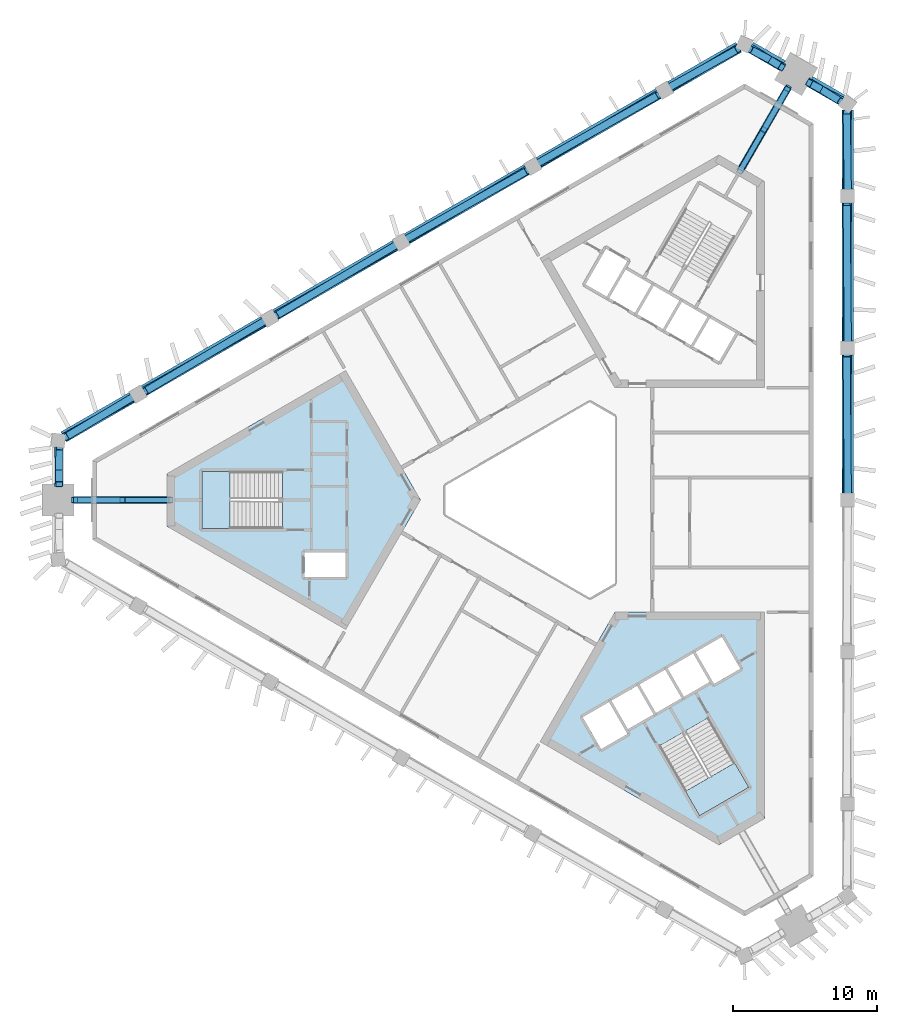
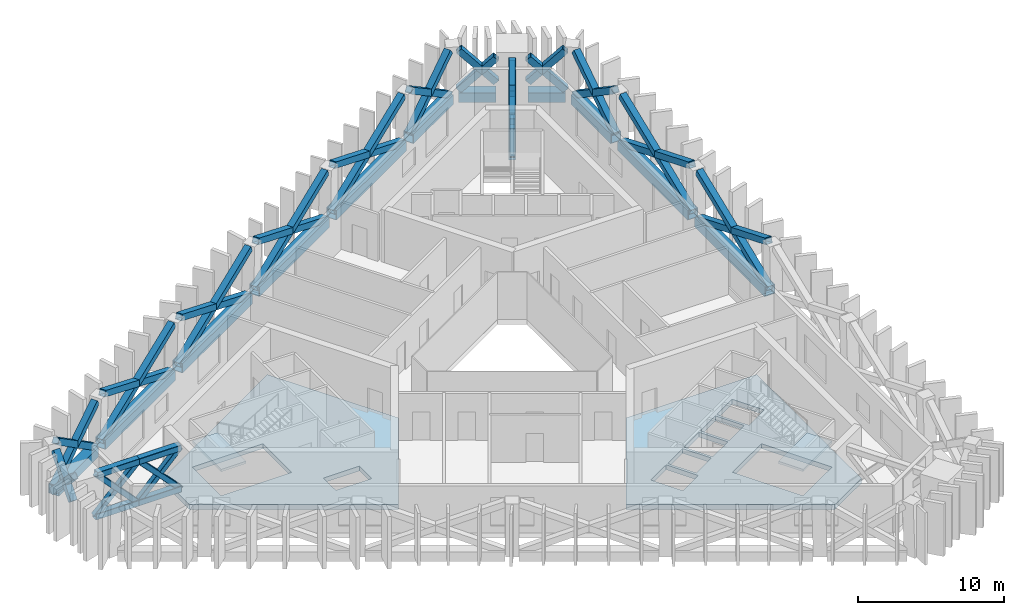
# One storey, part 2 of 9: 51 members, 4 slabs, 2 elements without a shape of their own.
"""IFC4 building model written with IfcOpenShell, lengths in metres."""

from ifc_helpers import new_model, si_unit, direction, frame, origin, origin_2d, place, context, subcontext, project, spatial, polyline, hollow_rectangle, outline, extrude, material, layer, layer_set, material_profile, profile_set, type_object, element, aggregate, save


model = new_model("IFC4")

# Units and contexts
model_context = context("Model", 3, precision=1e-05, world=origin(), true_north=direction((0.0, 1.0)))
body_context = subcontext(model_context, "Body", "Model", "MODEL_VIEW")
ifc_project = project(units=[si_unit("LENGTHUNIT", "METRE"), si_unit("AREAUNIT", "SQUARE_METRE"), si_unit("VOLUMEUNIT", "CUBIC_METRE"), si_unit("PLANEANGLEUNIT", "RADIAN"), si_unit("MASSUNIT", "GRAM", prefix="KILO")], contexts=[model_context])

# Site, building, storey
site_placement = place(None, origin())
site = spatial("IfcSite", under=ifc_project, at=site_placement, CompositionType="ELEMENT")
building_placement = place(site_placement, origin())
building = spatial("IfcBuilding", under=site, at=building_placement, Name="Jabali Bay Hotel Tower and Convention Centre", CompositionType="ELEMENT")
storey_placement = place(building_placement, frame((0.0, 0.0, 197.0)))
storey = spatial("IfcBuildingStorey", under=building, at=storey_placement, Name="L48", CompositionType="ELEMENT", Elevation=197.0)

# Members
ifc_material_1 = material(Name="Steel Q420GJC", Category="steel")
ifc_material_profile_1 = material_profile(ifc_material_1, hollow_rectangle(XDim=0.5, YDim=0.5, WallThickness=0.030029296875, at=origin_2d()), Name="Belt brace 500x500x30")
ifc_profile_set_1 = profile_set([ifc_material_profile_1], Name="Steel Q420GJC")
member_type_1 = type_object("IfcMemberType", Name="Belt brace 500x500x30", PredefinedType="BRACE", material=ifc_profile_set_1)
member_1_placement = place(storey_placement, frame((91.121337890625, 110.12158203125, 1.17236328125), z_axis=(-0.605049461083, 0.319631491713, 0.729212492452), x_axis=(-0.467101290382, -0.884203813905, 0.0)))
element("IfcMember", 1, at=member_1_placement, inside=storey, type_object=member_type_1, Name="Belt brace T4 M1-V2 x1", PredefinedType="BRACE", context=body_context, shape_type="SweptSolid", body=[
    extrude(hollow_rectangle(XDim=0.5, YDim=0.5, WallThickness=0.030029296875, at=origin_2d()), origin(), (0.0, 0.0, 1.0), 3.73193359375),
])
member_2_placement = place(storey_placement, frame((88.91162109375, 111.42431640625, 0.504638671875), z_axis=(0.580393874567, -0.364677449661, 0.728116273732), x_axis=(0.532023507699, 0.846729583312, 0.0)))
element("IfcMember", 2, at=member_2_placement, inside=storey, type_object=member_type_1, Name="Belt brace T4 M1-V2 x2", PredefinedType="BRACE", context=body_context, shape_type="SweptSolid", body=[
    extrude(hollow_rectangle(XDim=0.5, YDim=0.5, WallThickness=0.030029296875, at=origin_2d()), origin(), (0.0, 0.0, 1.0), 3.7451171875),
])
member_3_placement = place(storey_placement, frame((88.1015625, 111.43408203125, 0.32080078125), z_axis=(-0.711965008173, -0.424081291764, 0.559697136953), x_axis=(0.511744544943, -0.8591376611, 0.0)))
element("IfcMember", 3, at=member_3_placement, inside=storey, type_object=member_type_1, Name="Belt brace T4 V2-F1.1 x1", PredefinedType="BRACE", context=body_context, shape_type="SweptSolid", body=[
    extrude(hollow_rectangle(XDim=0.5, YDim=0.5, WallThickness=0.030029296875, at=origin_2d()), origin(), (0.0, 0.0, 1.0), 6.71484375),
])
member_4_placement = place(storey_placement, frame((83.3642578125, 108.69873046875, 0.33203125), z_axis=(0.715462752504, 0.39970948499, 0.573014290737), x_axis=(-0.487720993745, 0.872999560286, 0.0)))
element("IfcMember", 4, at=member_4_placement, inside=storey, type_object=member_type_1, Name="Belt brace T4 V2-F1.1 x2", PredefinedType="BRACE", context=body_context, shape_type="SweptSolid", body=[
    extrude(hollow_rectangle(XDim=0.5, YDim=0.5, WallThickness=0.030029296875, at=origin_2d()), origin(), (0.0, 0.0, 1.0), 6.51953125),
])
member_5_placement = place(storey_placement, frame((82.540283203125, 108.22607421875, 0.197021484375), z_axis=(-0.796036428012, -0.468509485105, 0.383177331851), x_axis=(0.507223414722, -0.861814601616, 0.0)))
element("IfcMember", 5, at=member_5_placement, inside=storey, type_object=member_type_1, Name="Belt brace T4 F1.1-F1.2 x1", PredefinedType="BRACE", context=body_context, shape_type="SweptSolid", body=[
    extrude(hollow_rectangle(XDim=0.5, YDim=0.5, WallThickness=0.030029296875, at=origin_2d()), origin(), (0.0, 0.0, 1.0), 10.454345703125),
])
member_6_placement = place(storey_placement, frame((74.218505859375, 103.421630859375, 0.19970703125), z_axis=(0.802220643403, 0.454137583996, 0.387557859036), x_axis=(-0.492639648155, 0.870233403787, 0.0)))
element("IfcMember", 6, at=member_6_placement, inside=storey, type_object=member_type_1, Name="Belt brace T4 F1.1-F1.2 x2", PredefinedType="BRACE", context=body_context, shape_type="SweptSolid", body=[
    extrude(hollow_rectangle(XDim=0.5, YDim=0.5, WallThickness=0.030029296875, at=origin_2d()), origin(), (0.0, 0.0, 1.0), 10.322265625),
])
member_7_placement = place(storey_placement, frame((73.395751953125, 102.946533203125, 0.197998046875), z_axis=(-0.795490457327, -0.468241818131, 0.38463558345), x_axis=(0.507266594802, -0.861789186401, 0.0)))
element("IfcMember", 7, at=member_7_placement, inside=storey, type_object=member_type_1, Name="Belt brace T4 F1.2-F1.3 x1", PredefinedType="BRACE", context=body_context, shape_type="SweptSolid", body=[
    extrude(hollow_rectangle(XDim=0.5, YDim=0.5, WallThickness=0.030029296875, at=origin_2d()), origin(), (0.0, 0.0, 1.0), 10.41015625),
])
member_8_placement = place(storey_placement, frame((65.07421875, 98.14208984375, 0.19873046875), z_axis=(0.802730891943, 0.454474182075, 0.3861040442), x_axis=(-0.492678845652, 0.870211212894, 0.0)))
element("IfcMember", 8, at=member_8_placement, inside=storey, type_object=member_type_1, Name="Belt brace T4 F1.2-F1.3 x2", PredefinedType="BRACE", context=body_context, shape_type="SweptSolid", body=[
    extrude(hollow_rectangle(XDim=0.5, YDim=0.5, WallThickness=0.030029296875, at=origin_2d()), origin(), (0.0, 0.0, 1.0), 10.3662109375),
])
member_9_placement = place(storey_placement, frame((64.25146484375, 97.6669921875, 0.19873046875), z_axis=(-0.794946502346, -0.467961930486, 0.386098031625), x_axis=(0.507299036611, -0.861770089672, 0.0)))
element("IfcMember", 9, at=member_9_placement, inside=storey, type_object=member_type_1, Name="Belt brace T4 F1.3-F1.4 x1", PredefinedType="BRACE", context=body_context, shape_type="SweptSolid", body=[
    extrude(hollow_rectangle(XDim=0.5, YDim=0.5, WallThickness=0.030029296875, at=origin_2d()), origin(), (0.0, 0.0, 1.0), 10.366455078125),
])
member_10_placement = place(storey_placement, frame((55.9296875, 92.862548828125, 0.197998046875), z_axis=(0.803250428554, 0.454802357915, 0.384634325384), x_axis=(-0.492706767001, 0.87019540435, 0.0)))
element("IfcMember", 10, at=member_10_placement, inside=storey, type_object=member_type_1, Name="Belt brace T4 F1.3-F1.4 x2", PredefinedType="BRACE", context=body_context, shape_type="SweptSolid", body=[
    extrude(hollow_rectangle(XDim=0.5, YDim=0.5, WallThickness=0.030029296875, at=origin_2d()), origin(), (0.0, 0.0, 1.0), 10.410400390625),
])
member_11_placement = place(storey_placement, frame((55.10693359375, 92.387451171875, 0.19970703125), z_axis=(-0.794403246553, -0.467673069762, 0.387563390538), x_axis=(0.507323960573, -0.861755417174, 0.0)))
element("IfcMember", 11, at=member_11_placement, inside=storey, type_object=member_type_1, Name="Belt brace T4 F1.4-F1.5 x1", PredefinedType="BRACE", context=body_context, shape_type="SweptSolid", body=[
    extrude(hollow_rectangle(XDim=0.5, YDim=0.5, WallThickness=0.030029296875, at=origin_2d()), origin(), (0.0, 0.0, 1.0), 10.322265625),
])
member_12_placement = place(storey_placement, frame((46.785400390625, 87.5830078125, 0.197021484375), z_axis=(0.803755306287, 0.455135170533, 0.383183225312), x_axis=(-0.492745256493, 0.870173610381, 0.0)))
element("IfcMember", 12, at=member_12_placement, inside=storey, type_object=member_type_1, Name="Belt brace T4 F1.4-F1.5 x2", PredefinedType="BRACE", context=body_context, shape_type="SweptSolid", body=[
    extrude(hollow_rectangle(XDim=0.5, YDim=0.5, WallThickness=0.030029296875, at=origin_2d()), origin(), (0.0, 0.0, 1.0), 10.4541015625),
])
member_13_placement = place(storey_placement, frame((45.964111328125, 87.105712890625, 0.33203125), z_axis=(-0.703893904601, -0.419745000621, 0.573016147694), x_axis=(0.512168914762, -0.858884743579, 0.0)))
element("IfcMember", 13, at=member_13_placement, inside=storey, type_object=member_type_1, Name="Belt brace T4 F1.5-V3 x1", PredefinedType="BRACE", context=body_context, shape_type="SweptSolid", body=[
    extrude(hollow_rectangle(XDim=0.5, YDim=0.5, WallThickness=0.030029296875, at=origin_2d()), origin(), (0.0, 0.0, 1.0), 6.51953125),
])
member_14_placement = place(storey_placement, frame((41.2265625, 84.370849609375, 0.32080078125), z_axis=(0.723247541346, 0.404527053339, 0.559706045218), x_axis=(-0.488151729076, 0.872758780764, 0.0)))
element("IfcMember", 14, at=member_14_placement, inside=storey, type_object=member_type_1, Name="Belt brace T4 F1.5-V3 x2", PredefinedType="BRACE", context=body_context, shape_type="SweptSolid", body=[
    extrude(hollow_rectangle(XDim=0.5, YDim=0.5, WallThickness=0.030029296875, at=origin_2d()), origin(), (0.0, 0.0, 1.0), 6.71484375),
])
member_15_placement = place(storey_placement, frame((40.829833984375, 83.664306640625, 0.504638671875), z_axis=(0.025620250874, -0.684966859884, 0.728123618354), x_axis=(0.999301217149, 0.037377498652, 0.0)))
element("IfcMember", 15, at=member_15_placement, inside=storey, type_object=member_type_1, Name="Belt brace T4 V3-M0 x1", PredefinedType="BRACE", context=body_context, shape_type="SweptSolid", body=[
    extrude(hollow_rectangle(XDim=0.5, YDim=0.5, WallThickness=0.030029296875, at=origin_2d()), origin(), (0.0, 0.0, 1.0), 3.744873046875),
])
member_16_placement = place(storey_placement, frame((40.853271484375, 81.09912109375, 1.17236328125), z_axis=(0.025709058742, 0.683808628576, 0.729208340451), x_axis=(-0.999293986366, 0.037570318248, 0.0)))
element("IfcMember", 16, at=member_16_placement, inside=storey, type_object=member_type_1, Name="Belt brace T4 V3-M0 x2", PredefinedType="BRACE", context=body_context, shape_type="SweptSolid", body=[
    extrude(hollow_rectangle(XDim=0.5, YDim=0.5, WallThickness=0.030029296875, at=origin_2d()), origin(), (0.0, 0.0, 1.0), 3.73193359375),
])
member_17_placement = place(storey_placement, frame((95.67431640625, 80.47509765625, 0.19873046875), z_axis=(-0.007772029149, 0.922422101971, 0.386104987482), x_axis=(-0.999964505887, -0.008425376269, 0.0)))
element("IfcMember", 17, at=member_17_placement, inside=storey, type_object=member_type_1, Name="Belt brace T4 F0.3-F0.4 x1", PredefinedType="BRACE", context=body_context, shape_type="SweptSolid", body=[
    extrude(hollow_rectangle(XDim=0.5, YDim=0.5, WallThickness=0.030029296875, at=origin_2d()), origin(), (0.0, 0.0, 1.0), 10.3662109375),
])
member_18_placement = place(storey_placement, frame((95.674560546875, 90.083984375, 0.197998046875), z_axis=(-0.00778614718, -0.923033676799, 0.384640361126), x_axis=(0.999964424013, -0.00843508788, 0.0)))
element("IfcMember", 18, at=member_18_placement, inside=storey, type_object=member_type_1, Name="Belt brace T4 F0.3-F0.4 x2", PredefinedType="BRACE", context=body_context, shape_type="SweptSolid", body=[
    extrude(hollow_rectangle(XDim=0.5, YDim=0.5, WallThickness=0.030029296875, at=origin_2d()), origin(), (0.0, 0.0, 1.0), 10.41015625),
])
member_19_placement = place(storey_placement, frame((95.67431640625, 91.033935546875, 0.19970703125), z_axis=(-0.007804973184, 0.921814635897, 0.387552395736), x_axis=(-0.99996415717, -0.008466662524, 0.0)))
element("IfcMember", 19, at=member_19_placement, inside=storey, type_object=member_type_1, Name="Belt brace T4 F0.4-F0.5 x1", PredefinedType="BRACE", context=body_context, shape_type="SweptSolid", body=[
    extrude(hollow_rectangle(XDim=0.5, YDim=0.5, WallThickness=0.030029296875, at=origin_2d()), origin(), (0.0, 0.0, 1.0), 10.322509765625),
])
member_20_placement = place(storey_placement, frame((95.674560546875, 100.64306640625, 0.197021484375), z_axis=(-0.007753255419, -0.923641581563, 0.38317896059), x_axis=(0.999964770354, -0.008393929452, 0.0)))
element("IfcMember", 20, at=member_20_placement, inside=storey, type_object=member_type_1, Name="Belt brace T4 F0.4-F0.5 x2", PredefinedType="BRACE", context=body_context, shape_type="SweptSolid", body=[
    extrude(hollow_rectangle(XDim=0.5, YDim=0.5, WallThickness=0.030029296875, at=origin_2d()), origin(), (0.0, 0.0, 1.0), 10.454345703125),
])
member_21_placement = place(storey_placement, frame((95.671630859375, 101.593017578125, 0.33203125), z_axis=(-0.01153378677, 0.819460571064, 0.573019497255), x_axis=(-0.999900963976, -0.014073458708, 0.0)))
element("IfcMember", 21, at=member_21_placement, inside=storey, type_object=member_type_1, Name="Belt brace T4 F0.5-V1 x1", PredefinedType="BRACE", context=body_context, shape_type="SweptSolid", body=[
    extrude(hollow_rectangle(XDim=0.5, YDim=0.5, WallThickness=0.030029296875, at=origin_2d()), origin(), (0.0, 0.0, 1.0), 6.51953125),
])
member_22_placement = place(storey_placement, frame((95.671875, 107.063232421875, 0.32080078125), z_axis=(-0.011271196461, -0.828614733397, 0.559705801049), x_axis=(0.999907499415, -0.013601198983, 0.0)))
element("IfcMember", 22, at=member_22_placement, inside=storey, type_object=member_type_1, Name="Belt brace T4 F0.5-V1 x2", PredefinedType="BRACE", context=body_context, shape_type="SweptSolid", body=[
    extrude(hollow_rectangle(XDim=0.5, YDim=0.5, WallThickness=0.030029296875, at=origin_2d()), origin(), (0.0, 0.0, 1.0), 6.71484375),
])
member_23_placement = place(storey_placement, frame((95.258544921875, 107.760009765625, 0.504638671875), z_axis=(-0.606017807507, 0.320284583507, 0.72812100818), x_axis=(-0.467262722055, -0.884118515007, 0.0)))
element("IfcMember", 23, at=member_23_placement, inside=storey, type_object=member_type_1, Name="Belt brace T4 V1-M1 x1", PredefinedType="BRACE", context=body_context, shape_type="SweptSolid", body=[
    extrude(hollow_rectangle(XDim=0.5, YDim=0.5, WallThickness=0.030029296875, at=origin_2d()), origin(), (0.0, 0.0, 1.0), 3.744873046875),
])
member_24_placement = place(storey_placement, frame((93.025390625, 109.022216796875, 1.17236328125), z_axis=(0.579350055568, -0.3641217716, 0.72922482717), x_axis=(0.53212846986, 0.846663623622, 0.0)))
element("IfcMember", 24, at=member_24_placement, inside=storey, type_object=member_type_1, Name="Belt brace T4 V1-M1 x2", PredefinedType="BRACE", context=body_context, shape_type="SweptSolid", body=[
    extrude(hollow_rectangle(XDim=0.5, YDim=0.5, WallThickness=0.030029296875, at=origin_2d()), origin(), (0.0, 0.0, 1.0), 3.73193359375),
])
ifc_material_profile_2 = material_profile(ifc_material_1, hollow_rectangle(XDim=0.800048828125, YDim=0.800048828125, WallThickness=0.0400390625, at=origin_2d()), Name="Belt chord 800x800x40")
ifc_profile_set_2 = profile_set([ifc_material_profile_2], Name="Steel Q420GJC")
member_type_2 = type_object("IfcMemberType", Name="Belt chord 800x800x40", PredefinedType="CHORD", material=ifc_profile_set_2)
member_25_placement = place(storey_placement, frame((91.141357421875, 110.15771484375, 0.0), z_axis=(-0.866025432576, 0.499999950132, 0.0), x_axis=(-0.499999950132, -0.866025432576, 0.0)))
element("IfcMember", 25, at=member_25_placement, inside=storey, type_object=member_type_2, Name="Belt chord T4 M1-V2", PredefinedType="CHORD", context=body_context, shape_type="SweptSolid", body=[
    extrude(hollow_rectangle(XDim=0.800048828125, YDim=0.800048828125, WallThickness=0.0400390625, at=origin_2d()), origin(), (0.0, 0.0, 1.0), 2.56396484375),
])
member_26_placement = place(storey_placement, frame((88.09814453125, 111.439697265625, 0.0), z_axis=(-0.866023560542, -0.500003192576, 0.0), x_axis=(0.500003192576, -0.866023560542, 0.0)))
element("IfcMember", 26, at=member_26_placement, inside=storey, type_object=member_type_2, Name="Belt chord T4 V2-F1.1", PredefinedType="CHORD", context=body_context, shape_type="SweptSolid", body=[
    extrude(hollow_rectangle(XDim=0.800048828125, YDim=0.800048828125, WallThickness=0.0400390625, at=origin_2d()), origin(), (0.0, 0.0, 1.0), 5.47021484375),
])
for number, where, z_axis, x_axis, name in (
    (27, (82.538330078125, 108.2294921875, 0.0), (-0.866031578683, -0.499989304609, 0.0), (0.499989304609, -0.866031578683, 0.0), "Belt chord T4 F1.1-F1.2"),
    (28, (73.393798828125, 102.9501953125, 0.0), (-0.866020577108, -0.500008359956, 0.0), (0.500008359956, -0.866020577108, 0.0), "Belt chord T4 F1.2-F1.3"),
    (29, (64.24951171875, 97.670654296875, 0.0), (-0.866020577108, -0.500008359956, 0.0), (0.500008359956, -0.866020577108, 0.0), "Belt chord T4 F1.3-F1.4"),
    (30, (55.10498046875, 92.39111328125, 0.0), (-0.866020577108, -0.500008359956, 0.0), (0.500008359956, -0.866020577108, 0.0), "Belt chord T4 F1.4-F1.5"),
):
    element("IfcMember", number, at=place(storey_placement, frame(where, z_axis=z_axis, x_axis=x_axis)), inside=storey, type_object=member_type_2, Name=name, PredefinedType="CHORD", context=body_context, shape_type="SweptSolid", body=[
        extrude(hollow_rectangle(XDim=0.800048828125, YDim=0.800048828125, WallThickness=0.0400390625, at=origin_2d()), origin(), (0.0, 0.0, 1.0), 9.609130859375),
    ])
member_27_placement = place(storey_placement, frame((45.960693359375, 87.111572265625, 0.0), z_axis=(-0.866023560542, -0.500003192576, 0.0), x_axis=(0.500003192576, -0.866023560542, 0.0)))
element("IfcMember", 31, at=member_27_placement, inside=storey, type_object=member_type_2, Name="Belt chord T4 F1.5-V3", PredefinedType="CHORD", context=body_context, shape_type="SweptSolid", body=[
    extrude(hollow_rectangle(XDim=0.800048828125, YDim=0.800048828125, WallThickness=0.0400390625, at=origin_2d()), origin(), (0.0, 0.0, 1.0), 5.47021484375),
])
member_28_placement = place(storey_placement, frame((95.678466796875, 80.47509765625, 0.0), z_axis=(0.0, 1.0, 0.0), x_axis=(-1.0, 0.0, 0.0)))
element("IfcMember", 32, at=member_28_placement, inside=storey, type_object=member_type_2, Name="Belt chord T4 F0.3-F0.4", PredefinedType="CHORD", context=body_context, shape_type="SweptSolid", body=[
    extrude(hollow_rectangle(XDim=0.800048828125, YDim=0.800048828125, WallThickness=0.0400390625, at=origin_2d()), origin(), (0.0, 0.0, 1.0), 9.60888671875),
])
member_29_placement = place(storey_placement, frame((95.678466796875, 91.033935546875, 0.0), z_axis=(0.0, 1.0, 0.0), x_axis=(-1.0, 0.0, 0.0)))
element("IfcMember", 33, at=member_29_placement, inside=storey, type_object=member_type_2, Name="Belt chord T4 F0.4-F0.5", PredefinedType="CHORD", context=body_context, shape_type="SweptSolid", body=[
    extrude(hollow_rectangle(XDim=0.800048828125, YDim=0.800048828125, WallThickness=0.0400390625, at=origin_2d()), origin(), (0.0, 0.0, 1.0), 9.609130859375),
])
member_30_placement = place(storey_placement, frame((95.678466796875, 101.593017578125, 0.0), z_axis=(0.0, 1.0, 0.0), x_axis=(-1.0, 0.0, 0.0)))
element("IfcMember", 34, at=member_30_placement, inside=storey, type_object=member_type_2, Name="Belt chord T4 F0.5-V1", PredefinedType="CHORD", context=body_context, shape_type="SweptSolid", body=[
    extrude(hollow_rectangle(XDim=0.800048828125, YDim=0.800048828125, WallThickness=0.0400390625, at=origin_2d()), origin(), (0.0, 0.0, 1.0), 5.47021484375),
])
member_31_placement = place(storey_placement, frame((95.26708984375, 107.775634765625, 0.0), z_axis=(-0.866025432576, 0.499999950132, 0.0), x_axis=(-0.499999950132, -0.866025432576, 0.0)))
element("IfcMember", 35, at=member_31_placement, inside=storey, type_object=member_type_2, Name="Belt chord T4 V1-M1", PredefinedType="CHORD", context=body_context, shape_type="SweptSolid", body=[
    extrude(hollow_rectangle(XDim=0.800048828125, YDim=0.800048828125, WallThickness=0.0400390625, at=origin_2d()), origin(), (0.0, 0.0, 1.0), 2.56396484375),
])
ifc_material_profile_3 = material_profile(ifc_material_1, hollow_rectangle(XDim=0.39990234375, YDim=0.39990234375, WallThickness=0.011962890625, InnerFilletRadius=0.01806640625, OuterFilletRadius=0.030029296875, at=origin_2d()), Name="Outrigger brace 400x400x12")
ifc_profile_set_3 = profile_set([ifc_material_profile_3], Name="Steel Q420GJC")
member_type_3 = type_object("IfcMemberType", Name="Outrigger brace 400x400x12", PredefinedType="BRACE", material=ifc_profile_set_3)
member_32_placement = place(storey_placement, frame((48.671875, 80.0, 0.25), z_axis=(-0.692830256545, 0.0, 0.721100711146), x_axis=(0.0, -1.0, 0.0)))
element("IfcMember", 36, at=member_32_placement, inside=storey, type_object=member_type_3, Name="Outrigger brace T4 1.1x1", PredefinedType="BRACE", context=body_context, shape_type="SweptSolid", body=[
    extrude(hollow_rectangle(XDim=0.39990234375, YDim=0.39990234375, WallThickness=0.011962890625, InnerFilletRadius=0.01806640625, OuterFilletRadius=0.030029296875, at=origin_2d()), origin(), (0.0, 0.0, 1.0), 4.7841796875),
])
member_33_placement = place(storey_placement, frame((45.29638671875, 80.0, 0.25), z_axis=(0.699350904135, 0.0, 0.714778506172), x_axis=(0.0, 1.0, 0.0)))
element("IfcMember", 37, at=member_33_placement, inside=storey, type_object=member_type_3, Name="Outrigger brace T4 1.1x2", PredefinedType="BRACE", context=body_context, shape_type="SweptSolid", body=[
    extrude(hollow_rectangle(XDim=0.39990234375, YDim=0.39990234375, WallThickness=0.011962890625, InnerFilletRadius=0.01806640625, OuterFilletRadius=0.030029296875, at=origin_2d()), origin(), (0.0, 0.0, 1.0), 4.82666015625),
])
member_34_placement = place(storey_placement, frame((45.29638671875, 80.0, 0.25), z_axis=(-0.686162352158, 0.0, 0.727448435617), x_axis=(0.0, -1.0, 0.0)))
element("IfcMember", 38, at=member_34_placement, inside=storey, type_object=member_type_3, Name="Outrigger brace T4 1.2x1", PredefinedType="BRACE", context=body_context, shape_type="SweptSolid", body=[
    extrude(hollow_rectangle(XDim=0.39990234375, YDim=0.39990234375, WallThickness=0.011962890625, InnerFilletRadius=0.01806640625, OuterFilletRadius=0.030029296875, at=origin_2d()), origin(), (0.0, 0.0, 1.0), 4.742431640625),
])
member_35_placement = place(storey_placement, frame((41.9208984375, 80.0, 0.25), z_axis=(0.705701505346, 0.0, 0.708509269772), x_axis=(0.0, 1.0, 0.0)))
element("IfcMember", 39, at=member_35_placement, inside=storey, type_object=member_type_3, Name="Outrigger brace T4 1.2x2", PredefinedType="BRACE", context=body_context, shape_type="SweptSolid", body=[
    extrude(hollow_rectangle(XDim=0.39990234375, YDim=0.39990234375, WallThickness=0.011962890625, InnerFilletRadius=0.01806640625, OuterFilletRadius=0.030029296875, at=origin_2d()), origin(), (0.0, 0.0, 1.0), 4.869384765625),
])
member_36_placement = place(storey_placement, frame((88.1640625, 102.80078125, 0.25), z_axis=(0.346437866364, 0.600002420489, 0.721094931445), x_axis=(-0.866008961582, 0.500028477648, 0.0)))
element("IfcMember", 40, at=member_36_placement, inside=storey, type_object=member_type_3, Name="Outrigger brace T4 2.1x1", PredefinedType="BRACE", context=body_context, shape_type="SweptSolid", body=[
    extrude(hollow_rectangle(XDim=0.39990234375, YDim=0.39990234375, WallThickness=0.011962890625, InnerFilletRadius=0.01806640625, OuterFilletRadius=0.030029296875, at=origin_2d()), origin(), (0.0, 0.0, 1.0), 4.784423828125),
])
member_37_placement = place(storey_placement, frame((89.851806640625, 105.72412109375, 0.25), z_axis=(-0.349671887314, -0.60566630677, 0.714771219389), x_axis=(0.866031420653, -0.499989578334, 0.0)))
element("IfcMember", 41, at=member_37_placement, inside=storey, type_object=member_type_3, Name="Outrigger brace T4 2.1x2", PredefinedType="BRACE", context=body_context, shape_type="SweptSolid", body=[
    extrude(hollow_rectangle(XDim=0.39990234375, YDim=0.39990234375, WallThickness=0.011962890625, InnerFilletRadius=0.01806640625, OuterFilletRadius=0.030029296875, at=origin_2d()), origin(), (0.0, 0.0, 1.0), 4.82666015625),
])
member_38_placement = place(storey_placement, frame((89.851806640625, 105.72412109375, 0.25), z_axis=(0.343061116971, 0.594230863324, 0.727460480779), x_axis=(-0.866036909293, 0.499980071345, 0.0)))
element("IfcMember", 42, at=member_38_placement, inside=storey, type_object=member_type_3, Name="Outrigger brace T4 2.2x1", PredefinedType="BRACE", context=body_context, shape_type="SweptSolid", body=[
    extrude(hollow_rectangle(XDim=0.39990234375, YDim=0.39990234375, WallThickness=0.011962890625, InnerFilletRadius=0.01806640625, OuterFilletRadius=0.030029296875, at=origin_2d()), origin(), (0.0, 0.0, 1.0), 4.742431640625),
])
member_39_placement = place(storey_placement, frame((91.53955078125, 108.6474609375, 0.25), z_axis=(-0.352821317797, -0.61118258689, 0.70850050331), x_axis=(0.866053083246, -0.499952054701, 0.0)))
element("IfcMember", 43, at=member_39_placement, inside=storey, type_object=member_type_3, Name="Outrigger brace T4 2.2x2", PredefinedType="BRACE", context=body_context, shape_type="SweptSolid", body=[
    extrude(hollow_rectangle(XDim=0.39990234375, YDim=0.39990234375, WallThickness=0.011962890625, InnerFilletRadius=0.01806640625, OuterFilletRadius=0.030029296875, at=origin_2d()), origin(), (0.0, 0.0, 1.0), 4.869384765625),
])
ifc_material_profile_4 = material_profile(ifc_material_1, hollow_rectangle(XDim=0.5, YDim=0.5, WallThickness=0.01611328125, InnerFilletRadius=0.02392578125, OuterFilletRadius=0.0400390625, at=origin_2d()), Name="Outrigger chord 500x500x16")
ifc_profile_set_4 = profile_set([ifc_material_profile_4], Name="Steel Q420GJC")
member_type_4 = type_object("IfcMemberType", Name="Outrigger chord 500x500x16", PredefinedType="CHORD", material=ifc_profile_set_4)
for number, where, z_axis, x_axis, name in (
    (44, (48.671875, 80.0, 0.25), (-1.0, 0.0, 0.0), (0.0, -1.0, 0.0), "Outrigger chord T4 1.lo1"),
    (45, (45.29638671875, 80.0, 0.25), (-1.0, 0.0, 0.0), (0.0, -1.0, 0.0), "Outrigger chord T4 1.lo2"),
):
    element("IfcMember", number, at=place(storey_placement, frame(where, z_axis=z_axis, x_axis=x_axis)), inside=storey, type_object=member_type_4, Name=name, PredefinedType="CHORD", context=body_context, shape_type="SweptSolid", body=[
        extrude(hollow_rectangle(XDim=0.5, YDim=0.5, WallThickness=0.01611328125, InnerFilletRadius=0.02392578125, OuterFilletRadius=0.0400390625, at=origin_2d()), origin(), (0.0, 0.0, 1.0), 3.37548828125),
    ])
member_40_placement = place(storey_placement, frame((48.671875, 80.0, 3.699951171875), z_axis=(-1.0, 0.0, 0.0), x_axis=(0.0, -1.0, 0.0)))
element("IfcMember", 46, at=member_40_placement, inside=storey, type_object=member_type_4, Name="Outrigger chord T4 1.hi1", PredefinedType="CHORD", context=body_context, shape_type="SweptSolid", body=[
    extrude(hollow_rectangle(XDim=0.5, YDim=0.5, WallThickness=0.01611328125, InnerFilletRadius=0.02392578125, OuterFilletRadius=0.0400390625, at=origin_2d()), origin(), (0.0, 0.0, 1.0), 3.314697265625),
])
member_41_placement = place(storey_placement, frame((45.357177734375, 80.0, 3.699951171875), z_axis=(-1.0, 0.0, 0.0), x_axis=(0.0, -1.0, 0.0)))
element("IfcMember", 47, at=member_41_placement, inside=storey, type_object=member_type_4, Name="Outrigger chord T4 1.hi2", PredefinedType="CHORD", context=body_context, shape_type="SweptSolid", body=[
    extrude(hollow_rectangle(XDim=0.5, YDim=0.5, WallThickness=0.01611328125, InnerFilletRadius=0.02392578125, OuterFilletRadius=0.0400390625, at=origin_2d()), origin(), (0.0, 0.0, 1.0), 3.31494140625),
])
for number, where, z_axis, x_axis, name in (
    (48, (88.1640625, 102.80078125, 0.25), (0.499989578334, 0.866031420653, 0.0), (-0.866031420653, 0.499989578334, 0.0), "Outrigger chord T4 2.lo1"),
    (49, (89.851806640625, 105.72412109375, 0.25), (0.499989578334, 0.866031420653, 0.0), (-0.866031420653, 0.499989578334, 0.0), "Outrigger chord T4 2.lo2"),
):
    element("IfcMember", number, at=place(storey_placement, frame(where, z_axis=z_axis, x_axis=x_axis)), inside=storey, type_object=member_type_4, Name=name, PredefinedType="CHORD", context=body_context, shape_type="SweptSolid", body=[
        extrude(hollow_rectangle(XDim=0.5, YDim=0.5, WallThickness=0.01611328125, InnerFilletRadius=0.02392578125, OuterFilletRadius=0.0400390625, at=origin_2d()), origin(), (0.0, 0.0, 1.0), 3.37548828125),
    ])
member_42_placement = place(storey_placement, frame((88.1640625, 102.80078125, 3.699951171875), z_axis=(0.500028477648, 0.866008961582, 0.0), x_axis=(-0.866008961582, 0.500028477648, 0.0)))
element("IfcMember", 50, at=member_42_placement, inside=storey, type_object=member_type_4, Name="Outrigger chord T4 2.hi1", PredefinedType="CHORD", context=body_context, shape_type="SweptSolid", body=[
    extrude(hollow_rectangle(XDim=0.5, YDim=0.5, WallThickness=0.01611328125, InnerFilletRadius=0.02392578125, OuterFilletRadius=0.0400390625, at=origin_2d()), origin(), (0.0, 0.0, 1.0), 3.314697265625),
])
member_43_placement = place(storey_placement, frame((89.821533203125, 105.67138671875, 3.699951171875), z_axis=(0.499941346221, 0.866059264911, 0.0), x_axis=(-0.866059264911, 0.499941346221, 0.0)))
element("IfcMember", 51, at=member_43_placement, inside=storey, type_object=member_type_4, Name="Outrigger chord T4 2.hi2", PredefinedType="CHORD", context=body_context, shape_type="SweptSolid", body=[
    extrude(hollow_rectangle(XDim=0.5, YDim=0.5, WallThickness=0.01611328125, InnerFilletRadius=0.02392578125, OuterFilletRadius=0.0400390625, at=origin_2d()), origin(), (0.0, 0.0, 1.0), 3.31494140625),
])

# Slabs
ifc_material_2 = material(Name="Concrete C40", Category="concrete")
ifc_layer_1 = layer(ifc_material_2, 0.39990234375)
ifc_layer_set_1 = layer_set([ifc_layer_1], Name="Concrete C40")
slab_type_1 = type_object("IfcSlabType", Name="Core floor slab 400", PredefinedType="FLOOR", material=ifc_layer_set_1)
slab_1_placement = place(storey_placement, frame((0.0, 0.0, -0.39990234375)))
element("IfcSlab", 52, at=slab_1_placement, inside=storey, type_object=slab_type_1, Name="Core floor slab 1 L48", PredefinedType="FLOOR", context=body_context, shape_type="SweptSolid", body=[
    extrude(outline(polyline([(66.0, 80.0), (60.81005859375, 88.9892578125), (48.39697265625, 81.82275390625), (48.39697265625, 78.17724609375), (60.81005859375, 71.0107421875), (66.0, 80.0)]), holes=[polyline([(60.800048828125, 76.35009765625), (57.949951171875, 76.35009765625), (57.949951171875, 74.64990234375), (60.800048828125, 74.64990234375), (60.800048828125, 76.35009765625)]), polyline([(50.820068359375, 81.97509765625), (50.820068359375, 78.02490234375), (56.409912109375, 78.02490234375), (56.409912109375, 81.97509765625), (50.820068359375, 81.97509765625)])]), origin(), (0.0, 0.0, 1.0), 0.39990234375),
])
slab_2_placement = place(storey_placement, frame((0.0, 0.0, -0.39990234375)))
element("IfcSlab", 53, at=slab_2_placement, inside=storey, type_object=slab_type_1, Name="Core floor slab 3 L48", PredefinedType="FLOOR", context=body_context, shape_type="SweptSolid", body=[
    extrude(outline(polyline([(79.5, 72.205810546875), (74.31005859375, 63.21630859375), (86.72314453125, 56.0498046875), (89.8798828125, 57.872314453125), (89.8798828125, 72.205810546875), (79.5, 72.205810546875)]), holes=[polyline([(82.584716796875, 62.9130859375), (85.379638671875, 58.072021484375), (88.80029296875, 60.047119140625), (86.00537109375, 64.88818359375), (82.584716796875, 62.9130859375)]), polyline([(80.365478515625, 63.756591796875), (79.090576171875, 65.96484375), (77.27197265625, 64.9150390625), (78.546875, 62.70654296875), (80.365478515625, 63.756591796875)]), polyline([(82.17919921875, 65.115478515625), (81.0390625, 67.08984375), (79.263671875, 66.06494140625), (80.40380859375, 64.09033203125), (82.17919921875, 65.115478515625)]), polyline([(82.98779296875, 68.21484375), (81.21240234375, 67.18994140625), (82.352294921875, 65.21533203125), (84.127685546875, 66.240478515625), (82.98779296875, 68.21484375)]), polyline([(86.076171875, 67.365478515625), (84.936279296875, 69.33984375), (83.160888671875, 68.31494140625), (84.30078125, 66.34033203125), (86.076171875, 67.365478515625)]), polyline([(88.203125, 68.281494140625), (86.927978515625, 70.489990234375), (85.109375, 69.43994140625), (86.384521484375, 67.231689453125), (88.203125, 68.281494140625)])]), origin(), (0.0, 0.0, 1.0), 0.39990234375),
])

# Stair, slab
stair_type = type_object("IfcStairType", Name="Exit stair 1900", PredefinedType="HALF_TURN_STAIR", material=ifc_material_2)
stair_1_placement = place(storey_placement, origin())
stair_1 = element("IfcStair", 54, at=stair_1_placement, inside=storey, type_object=stair_type, Name="L48 Exit Stair 1", PredefinedType="HALF_TURN_STAIR")
ifc_layer_2 = layer(ifc_material_2, 0.199951171875)
ifc_layer_set_2 = layer_set([ifc_layer_2], Name="Concrete C40")
slab_type_2 = type_object("IfcSlabType", Name="Stair landing 200", PredefinedType="LANDING", material=ifc_layer_set_2)
slab_3_placement = place(storey_placement, frame((0.0, 0.0, 2.0)))
slab_3 = element("IfcSlab", 55, at=slab_3_placement, type_object=slab_type_2, Name="ST1 landing 1", PredefinedType="LANDING", context=body_context, shape_type="SweptSolid", body=[
    extrude(outline(polyline([(52.782958984375, 81.97509765625), (50.820068359375, 81.97509765625), (50.820068359375, 78.02490234375), (52.782958984375, 78.02490234375), (52.782958984375, 81.97509765625)])), origin(), (0.0, 0.0, 1.0), 0.199951171875),
])
aggregate(stair_1, [slab_3])

stair_2_placement = place(storey_placement, origin())
stair_2 = element("IfcStair", 56, at=stair_2_placement, inside=storey, type_object=stair_type, Name="L48 Exit Stair 3", PredefinedType="HALF_TURN_STAIR")
slab_4_placement = place(storey_placement, frame((0.0, 0.0, 2.0)))
slab_4 = element("IfcSlab", 57, at=slab_4_placement, type_object=slab_type_2, Name="ST3 landing 1", PredefinedType="LANDING", context=body_context, shape_type="SweptSolid", body=[
    extrude(outline(polyline([(84.398193359375, 59.77197265625), (85.379638671875, 58.072021484375), (88.80029296875, 60.047119140625), (87.81884765625, 61.7470703125), (84.398193359375, 59.77197265625)])), origin(), (0.0, 0.0, 1.0), 0.199951171875),
])
aggregate(stair_2, [slab_4])

save(model, "model.ifc")
